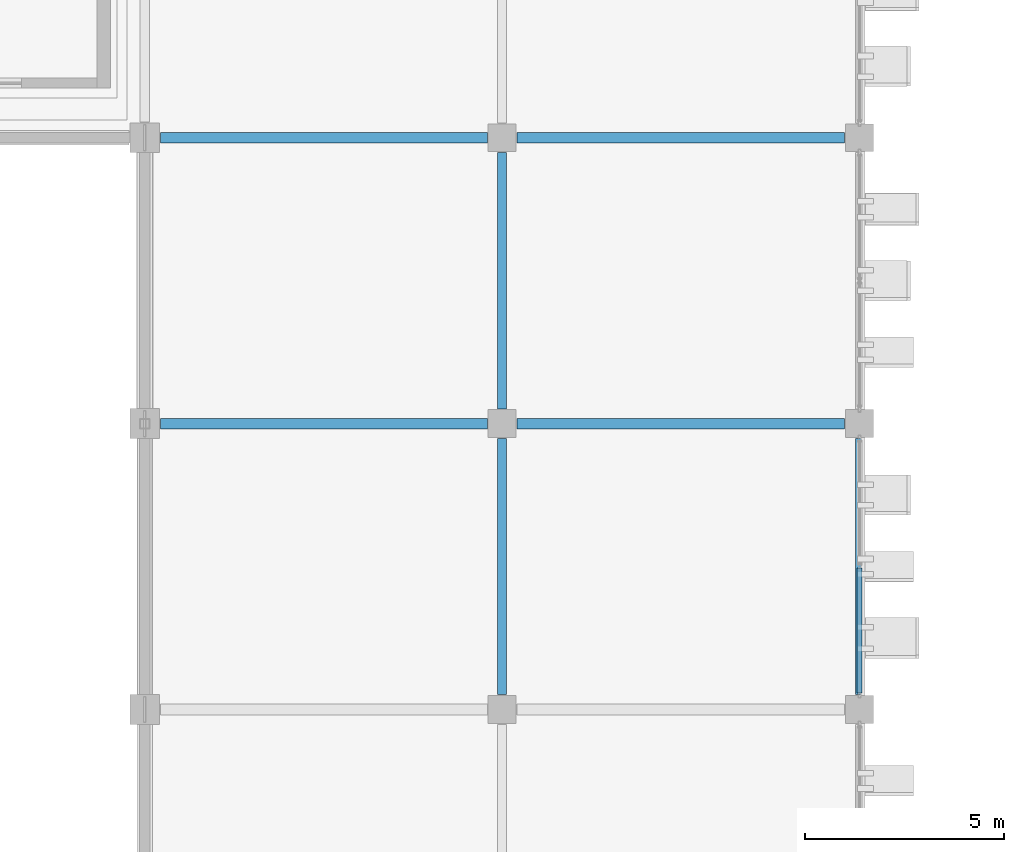
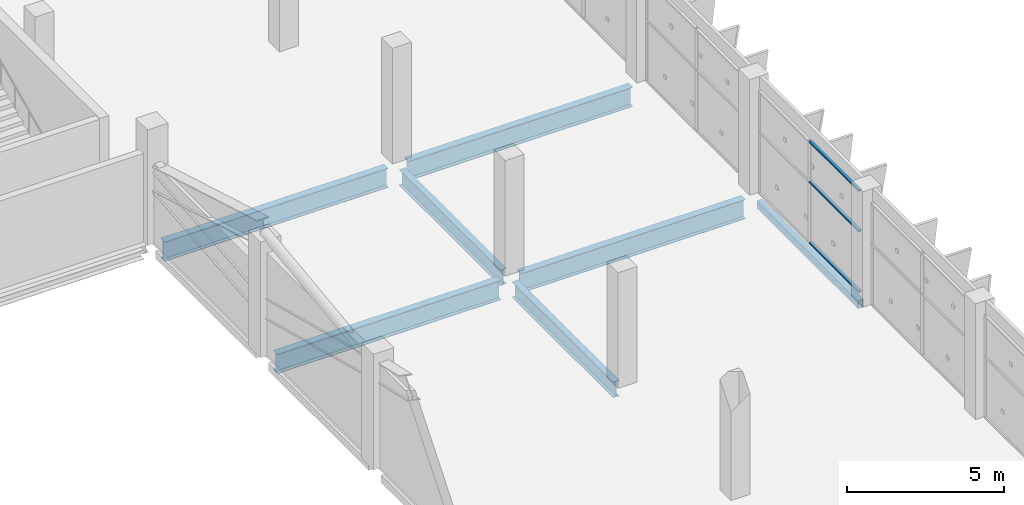
# One storey, part 55 of 151: 7 beams, 3 members, 1 element without a shape of its own.
"""IFC4 building model written with IfcOpenShell, lengths in metres."""

from ifc_helpers import new_model, si_unit, direction, frame, origin, origin_2d, place, context, subcontext, project, spatial, hollow_rectangle, i_section, extrude, material, layer, layer_set, material_profile, profile_set, type_object, element, aggregate, save


model = new_model("IFC4")

# Units and contexts
model_context = context("Model", 3, precision=1e-05, world=origin(), true_north=direction((0.0, 1.0)))
body_context = subcontext(model_context, "Body", "Model", "MODEL_VIEW")
ifc_project = project(units=[si_unit("LENGTHUNIT", "METRE"), si_unit("AREAUNIT", "SQUARE_METRE"), si_unit("VOLUMEUNIT", "CUBIC_METRE"), si_unit("PLANEANGLEUNIT", "RADIAN"), si_unit("MASSUNIT", "GRAM", prefix="KILO")], contexts=[model_context])

# Site, building, storey
site_placement = place(None, origin())
site = spatial("IfcSite", under=ifc_project, at=site_placement, CompositionType="ELEMENT")
building_placement = place(site_placement, origin())
building = spatial("IfcBuilding", under=site, at=building_placement, Name="Celestram Park Convention Centre", CompositionType="ELEMENT")
storey_placement = place(building_placement, frame((0.0, 0.0, 10.800048828125)))
storey = spatial("IfcBuildingStorey", under=building, at=storey_placement, Name="L02", CompositionType="ELEMENT", Elevation=10.800048828125)

# Curtain wall, members
ifc_material_1 = material(Name="Anodised Aluminium Alloy 6063-T6", Category="aluminium")
ifc_layer = layer(ifc_material_1, 0.179931640625)
ifc_layer_set = layer_set([ifc_layer], Name="Anodised Aluminium Alloy 6063-T6")
curtain_wall_type = type_object("IfcCurtainWallType", Name="ARC-CW-650X400", PredefinedType="NOTDEFINED", material=ifc_layer_set)
curtain_wall_placement = place(storey_placement, origin())
curtain_wall = element("IfcCurtainWall", 1, at=curtain_wall_placement, inside=storey, type_object=curtain_wall_type, Name="Unitised curtain wall CU-L02-184", PredefinedType="NOTDEFINED")
ifc_material_profile_1 = material_profile(ifc_material_1, hollow_rectangle(XDim=0.1201171875, YDim=0.06005859375, WallThickness=0.0029296875, at=origin_2d()), Name="ALU120X60X3")
ifc_profile_set_1 = profile_set([ifc_material_profile_1], Name="Anodised Aluminium Alloy 6063-T6")
member_type = type_object("IfcMemberType", Name="ARC-CWT-120", PredefinedType="USERDEFINED", material=ifc_profile_set_1)
member_1_placement = place(storey_placement, frame((144.0, 97.16748046875, 0.030029296875), z_axis=(0.0, -1.0, 0.0), x_axis=(1.0, 0.0, 0.0)))
member_1 = element("IfcMember", 2, at=member_1_placement, type_object=member_type, Name="CW-65X40 transom 2.1", ObjectType="TRANSOM", PredefinedType="USERDEFINED", context=body_context, shape_type="SweptSolid", body=[
    extrude(hollow_rectangle(XDim=0.1201171875, YDim=0.06005859375, WallThickness=0.0029296875, at=origin_2d()), origin(), (0.0, 0.0, 1.0), 3.154541015625),
])
member_2_placement = place(storey_placement, frame((144.0, 97.16748046875, 2.39990234375), z_axis=(0.0, -1.0, 0.0), x_axis=(1.0, 0.0, 0.0)))
member_2 = element("IfcMember", 3, at=member_2_placement, type_object=member_type, Name="CW-65X40 transom 2.2", ObjectType="TRANSOM", PredefinedType="USERDEFINED", context=body_context, shape_type="SweptSolid", body=[
    extrude(hollow_rectangle(XDim=0.1201171875, YDim=0.06005859375, WallThickness=0.0029296875, at=origin_2d()), origin(), (0.0, 0.0, 1.0), 3.154541015625),
])
member_3_placement = place(storey_placement, frame((144.0, 97.16748046875, 3.969970703125), z_axis=(0.0, -1.0, 0.0), x_axis=(1.0, 0.0, 0.0)))
member_3 = element("IfcMember", 4, at=member_3_placement, type_object=member_type, Name="CW-65X40 transom 2.3", ObjectType="TRANSOM", PredefinedType="USERDEFINED", context=body_context, shape_type="SweptSolid", body=[
    extrude(hollow_rectangle(XDim=0.1201171875, YDim=0.06005859375, WallThickness=0.0029296875, at=origin_2d()), origin(), (0.0, 0.0, 1.0), 3.154541015625),
])
aggregate(curtain_wall, [member_1, member_2, member_3])

# Beams
ifc_material_2 = material(Name="Steel ASTM A992 Grade 50", Category="steel")
ifc_material_profile_2 = material_profile(ifc_material_2, i_section(OverallWidth=0.22900390625, OverallDepth=0.612060546875, WebThickness=0.011962890625, FlangeThickness=0.01953125, at=origin_2d()), Name="W24X84")
ifc_profile_set_2 = profile_set([ifc_material_profile_2], Name="Steel ASTM A992 Grade 50")
beam_type_1 = type_object("IfcBeamType", Name="STR-BM-W24X84", PredefinedType="BEAM", material=ifc_profile_set_2)
beam_1_placement = place(storey_placement, frame((135.0, 93.972900390625, -0.5859375), z_axis=(0.0, 1.0, 0.0), x_axis=(-1.0, 0.0, 0.0)))
element("IfcBeam", 5, at=beam_1_placement, inside=storey, type_object=beam_type_1, Name="Primary Y-girder BG-L02-0215", PredefinedType="BEAM", context=body_context, shape_type="SweptSolid", body=[
    extrude(i_section(OverallWidth=0.22900390625, OverallDepth=0.612060546875, WebThickness=0.011962890625, FlangeThickness=0.01953125, at=origin_2d()), origin(), (0.0, 0.0, 1.0), 6.4541015625),
])
beam_2_placement = place(storey_placement, frame((135.0, 101.173095703125, -0.5859375), z_axis=(0.0, 1.0, 0.0), x_axis=(-1.0, 0.0, 0.0)))
element("IfcBeam", 6, at=beam_2_placement, inside=storey, type_object=beam_type_1, Name="Primary Y-girder BG-L02-0217", PredefinedType="BEAM", context=body_context, shape_type="SweptSolid", body=[
    extrude(i_section(OverallWidth=0.22900390625, OverallDepth=0.612060546875, WebThickness=0.011962890625, FlangeThickness=0.01953125, at=origin_2d()), origin(), (0.0, 0.0, 1.0), 6.453857421875),
])
ifc_material_profile_3 = material_profile(ifc_material_2, i_section(OverallWidth=0.26708984375, OverallDepth=0.761962890625, WebThickness=0.014404296875, FlangeThickness=0.021484375, at=origin_2d()), Name="W30X116")
ifc_profile_set_3 = profile_set([ifc_material_profile_3], Name="Steel ASTM A992 Grade 50")
beam_type_2 = type_object("IfcBeamType", Name="STR-BM-W30X116", PredefinedType="BEAM", material=ifc_profile_set_3)
for number, where, z_axis, x_axis, name in (
    (7, (126.39794921875, 100.800048828125, -0.6611328125), (1.0, 0.0, 0.0), (0.0, 1.0, 0.0), "Primary X-girder BG-L02-0177"),
    (8, (126.39794921875, 108.0, -0.6611328125), (1.0, 0.0, 0.0), (0.0, 1.0, 0.0), "Primary X-girder BG-L02-0179"),
):
    element("IfcBeam", number, at=place(storey_placement, frame(where, z_axis=z_axis, x_axis=x_axis)), inside=storey, type_object=beam_type_2, Name=name, PredefinedType="BEAM", context=body_context, shape_type="SweptSolid", body=[
        extrude(i_section(OverallWidth=0.26708984375, OverallDepth=0.761962890625, WebThickness=0.014404296875, FlangeThickness=0.021484375, at=origin_2d()), origin(), (0.0, 0.0, 1.0), 8.22900390625),
    ])
for number, where, z_axis, x_axis, name in (
    (9, (135.373046875, 100.800048828125, -0.6611328125), (1.0, 0.0, 0.0), (0.0, 1.0, 0.0), "Primary X-girder BG-L02-0216"),
    (10, (135.373046875, 108.0, -0.6611328125), (1.0, 0.0, 0.0), (0.0, 1.0, 0.0), "Primary X-girder BG-L02-0218"),
):
    element("IfcBeam", number, at=place(storey_placement, frame(where, z_axis=z_axis, x_axis=x_axis)), inside=storey, type_object=beam_type_2, Name=name, PredefinedType="BEAM", context=body_context, shape_type="SweptSolid", body=[
        extrude(i_section(OverallWidth=0.26708984375, OverallDepth=0.761962890625, WebThickness=0.014404296875, FlangeThickness=0.021484375, at=origin_2d()), origin(), (0.0, 0.0, 1.0), 8.25390625),
    ])
ifc_material_3 = material(Name="Steel ASTM A500 Grade C", Category="steel")
ifc_material_profile_4 = material_profile(ifc_material_3, hollow_rectangle(XDim=0.199951171875, YDim=0.300048828125, WallThickness=0.011962890625, at=origin_2d()), Name="HSS300X200X12")
ifc_profile_set_4 = profile_set([ifc_material_profile_4], Name="Steel ASTM A500 Grade C")
beam_type_3 = type_object("IfcBeamType", Name="STR-SPN-HSS300X200", PredefinedType="SPANDREL", material=ifc_profile_set_4)
beam_3_placement = place(storey_placement, frame((144.0, 93.972900390625, -0.429931640625), z_axis=(0.0, 1.0, 0.0), x_axis=(-1.0, 0.0, 0.0)))
element("IfcBeam", 11, at=beam_3_placement, inside=storey, type_object=beam_type_3, Name="Primary Y-girder BG-L02-0251", PredefinedType="SPANDREL", context=body_context, shape_type="SweptSolid", body=[
    extrude(hollow_rectangle(XDim=0.199951171875, YDim=0.300048828125, WallThickness=0.011962890625, at=origin_2d()), origin(), (0.0, 0.0, 1.0), 6.4541015625),
])

save(model, "model.ifc")
